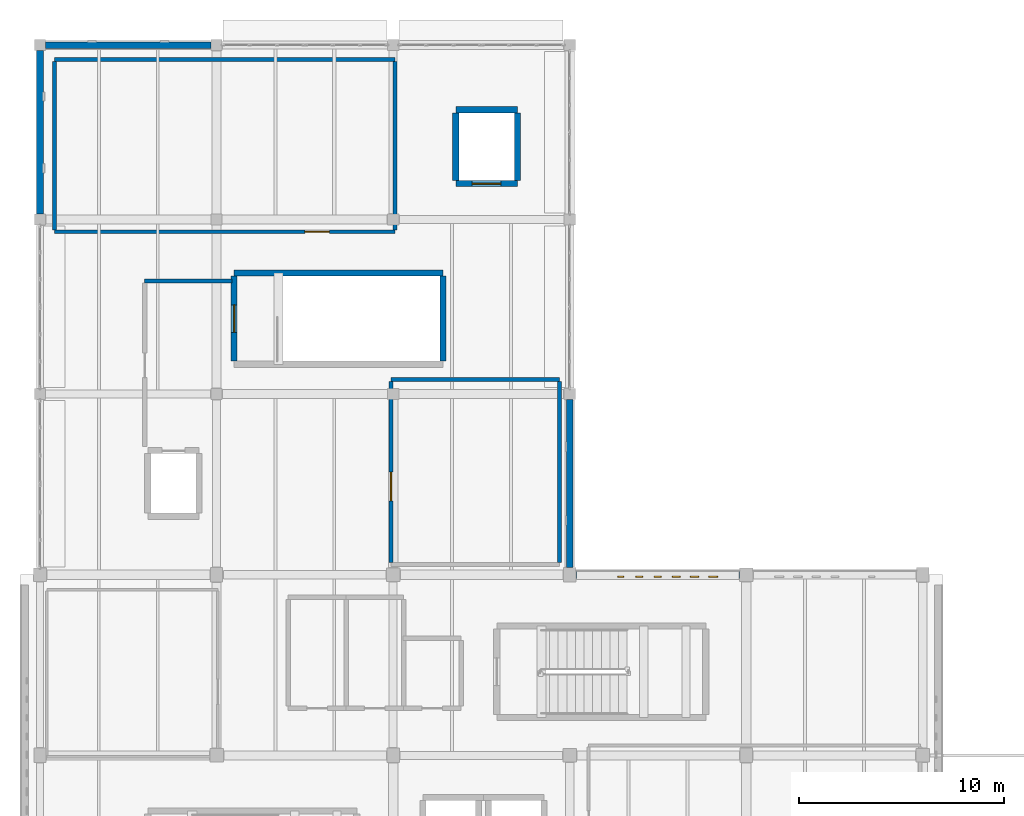
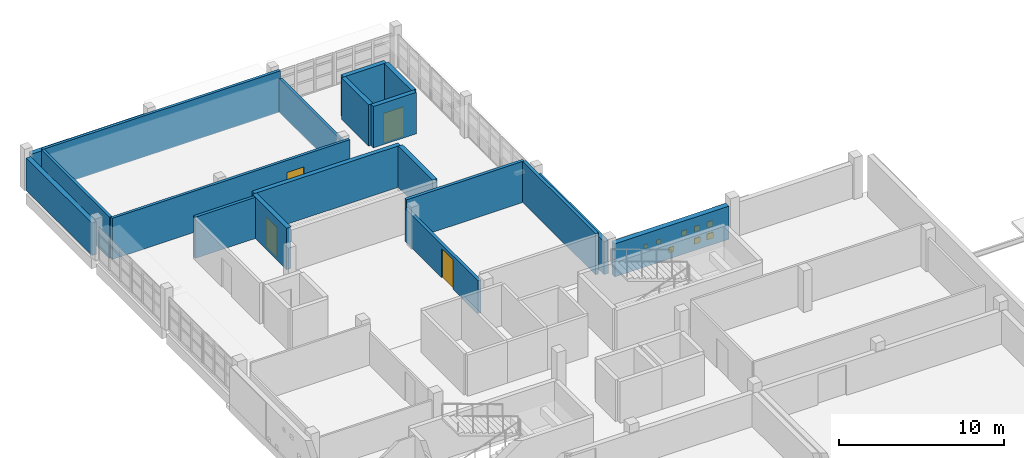
# One storey, part 27 of 34: 19 walls, 8 windows, 4 doors, 12 openings.
"""IFC4 building model written with IfcOpenShell, lengths in metres."""

from ifc_helpers import new_model, si_unit, direction, frame, frame_2d, origin, place, context, subcontext, project, spatial, rectangle, extrude, material, layer, layer_set, type_object, element, fill, save


model = new_model("IFC4")

# Units and contexts
model_context = context("Model", 3, precision=1e-05, world=origin(), true_north=direction((0.0, 1.0)))
body_context = subcontext(model_context, "Body", "Model", "MODEL_VIEW")
ifc_project = project(units=[si_unit("LENGTHUNIT", "METRE"), si_unit("AREAUNIT", "SQUARE_METRE"), si_unit("VOLUMEUNIT", "CUBIC_METRE"), si_unit("PLANEANGLEUNIT", "RADIAN"), si_unit("MASSUNIT", "GRAM", prefix="KILO")], contexts=[model_context])

# Site, building, storey
site_placement = place(None, origin())
site = spatial("IfcSite", under=ifc_project, at=site_placement, CompositionType="ELEMENT")
building_placement = place(site_placement, origin())
building = spatial("IfcBuilding", under=site, at=building_placement, Name="Varnakota Cinema and Media Centre", CompositionType="ELEMENT")
storey_placement = place(building_placement, frame((0.0, 0.0, 19.050048828125)))
storey = spatial("IfcBuildingStorey", under=building, at=storey_placement, Name="L05", CompositionType="ELEMENT", Elevation=19.050048828125)

# Wall
ifc_material_1 = material(Name="Autoclaved aerated concrete blockwork", Category="masonry")
ifc_layer_1 = layer(ifc_material_1, 0.2099609375)
ifc_layer_set_1 = layer_set([ifc_layer_1], Name="Autoclaved aerated concrete blockwork")
wall_type_1 = type_object("IfcWallType", Name="W-ACOUST-210", PredefinedType="PARTITIONING", material=ifc_layer_set_1)
wall_1_placement = place(storey_placement, frame((5.094970703125, 49.5048828125, 0.0), z_axis=(0.0, 0.0, 1.0), x_axis=(1.0, 0.0, 0.0)))
element("IfcWall", 1, at=wall_1_placement, inside=storey, type_object=wall_type_1, Name="L05 RWALL-RM-L05-FF-2 N wall", PredefinedType="PARTITIONING", context=body_context, shape_type="SweptSolid", body=[
    extrude(rectangle(XDim=4.260009765625, YDim=0.2099609375, at=frame_2d((2.1298828125, 0.0))), origin(), (0.0, 0.0, 1.0), 3.0400390625),
])

# Wall, opening, door
wall_2_placement = place(storey_placement, frame((17.094970703125, 35.800048828125, 0.0), z_axis=(0.0, 0.0, 1.0), x_axis=(0.0, 1.0, 0.0)))
wall_2 = element("IfcWall", 2, at=wall_2_placement, inside=storey, type_object=wall_type_1, Name="L05 RWALL-RM-L05-BENG W wall", PredefinedType="PARTITIONING", context=body_context, shape_type="SweptSolid", body=[
    extrude(rectangle(XDim=8.800048828125, YDim=0.2099609375, at=frame_2d((4.39990234375, 0.0))), origin(), (0.0, 0.0, 1.0), 2.43994140625),
])
opening_1_placement = place(wall_2_placement, frame((3.0, 0.0, 0.0)))
opening_1 = element("IfcOpeningElement", 3, at=opening_1_placement, cuts=wall_2, Name="Opening D-109", PredefinedType="OPENING", context=body_context, shape_type="SweptSolid", body=[
    extrude(rectangle(XDim=1.39990234375, YDim=2.14990234375, at=frame_2d((0.699951171875, 1.074951171875))), frame((0.0, 0.10498046875, 0.0), z_axis=(0.0, -1.0, 0.0), x_axis=(1.0, 0.0, 0.0)), (0.0, 0.0, 1.0), 0.2099609375),
])
ifc_material_2 = material(Name="Thermally broken anodised aluminium AW-6063", Category="aluminium")
door_type_1 = type_object("IfcDoorType", Name="DR-STD-1400x2150", OperationType="DOUBLE_DOOR_SINGLE_SWING", PredefinedType="DOOR", material=ifc_material_2)
door_1_placement = place(opening_1_placement, origin())
door_1 = element("IfcDoor", 4, at=door_1_placement, inside=storey, type_object=door_type_1, Name="L05 door D-109", OperationType="DOUBLE_DOOR_SINGLE_SWING", OverallHeight=2.14990234375, OverallWidth=1.39990234375, PredefinedType="DOOR", context=body_context, shape_type="SweptSolid", body=[
    extrude(rectangle(XDim=1.39990234375, YDim=2.14990234375, at=frame_2d((0.699951171875, 1.074951171875))), frame((0.0, 0.02490234375, 0.0), z_axis=(0.0, -1.0, 0.0), x_axis=(1.0, 0.0, 0.0)), (0.0, 0.0, 1.0), 0.050048828125),
])
fill(opening_1, door_1)

# Walls
wall_3_placement = place(storey_placement, frame((17.094970703125, 44.705078125, 0.0), z_axis=(0.0, 0.0, 1.0), x_axis=(1.0, 0.0, 0.0)))
element("IfcWall", 5, at=wall_3_placement, inside=storey, type_object=wall_type_1, Name="L05 RWALL-RM-L05-BENG N wall", PredefinedType="PARTITIONING", context=body_context, shape_type="SweptSolid", body=[
    extrude(rectangle(XDim=8.2099609375, YDim=0.2099609375, at=frame_2d((4.10498046875, 0.0))), origin(), (0.0, 0.0, 1.0), 3.0400390625),
])
wall_4_placement = place(storey_placement, frame((25.304931640625, 44.60009765625, 0.0), z_axis=(0.0, 0.0, 1.0), x_axis=(0.0, -1.0, 0.0)))
element("IfcWall", 6, at=wall_4_placement, inside=storey, type_object=wall_type_1, Name="L05 RWALL-RM-L05-BENG E wall", PredefinedType="PARTITIONING", context=body_context, shape_type="SweptSolid", body=[
    extrude(rectangle(XDim=8.800048828125, YDim=0.2099609375, at=frame_2d((4.39990234375, 0.0))), origin(), (0.0, 0.0, 1.0), 3.0400390625),
])

# Wall, opening, door
ifc_material_3 = material(Name="Concrete M40", Category="concrete")
ifc_layer_2 = layer(ifc_material_3, 0.300048828125)
ifc_layer_set_2 = layer_set([ifc_layer_2], Name="Concrete M40")
wall_type_2 = type_object("IfcWallType", Name="W-CORE-300", PredefinedType="SHEAR", material=ifc_layer_set_2)
wall_5_placement = place(storey_placement, frame((9.449951171875, 45.60009765625, 0.0), z_axis=(0.0, 0.0, 1.0), x_axis=(0.0, 1.0, 0.0)))
wall_5 = element("IfcWall", 7, at=wall_5_placement, inside=storey, type_object=wall_type_2, Name="L05 CWALL-ST-03-L05 W wall", PredefinedType="SHEAR", context=body_context, shape_type="SweptSolid", body=[
    extrude(rectangle(XDim=4.14990234375, YDim=0.300048828125, at=frame_2d((2.074951171875, 0.0))), origin(), (0.0, 0.0, 1.0), 3.06005859375),
])
opening_2_placement = place(wall_5_placement, frame((1.39990234375, 0.0, 0.0)))
opening_2 = element("IfcOpeningElement", 8, at=opening_2_placement, cuts=wall_5, Name="Opening SD-03", PredefinedType="OPENING", context=body_context, shape_type="SweptSolid", body=[
    extrude(rectangle(XDim=1.35009765625, YDim=2.199951171875, at=frame_2d((0.675048828125, 1.10009765625))), frame((0.0, 0.14990234375, 0.0), z_axis=(0.0, -1.0, 0.0), x_axis=(1.0, 0.0, 0.0)), (0.0, 0.0, 1.0), 0.300048828125),
])
ifc_material_4 = material(Name="Thermally broken anodised aluminium AW-6063", Category="aluminium")
door_type_2 = type_object("IfcDoorType", Name="DR-STAIR-1350x2200", OperationType="NOTDEFINED", PredefinedType="DOOR", material=ifc_material_4)
door_2_placement = place(opening_2_placement, origin())
door_2 = element("IfcDoor", 9, at=door_2_placement, inside=storey, type_object=door_type_2, Name="L05 door SD-03", OperationType="SINGLE_SWING_RIGHT", OverallHeight=2.199951171875, OverallWidth=1.35009765625, PredefinedType="DOOR", context=body_context, shape_type="SweptSolid", body=[
    extrude(rectangle(XDim=1.35009765625, YDim=2.199951171875, at=frame_2d((0.675048828125, 1.10009765625))), frame((0.0, 0.02490234375, 0.0), z_axis=(0.0, -1.0, 0.0), x_axis=(1.0, 0.0, 0.0)), (0.0, 0.0, 1.0), 0.050048828125),
])
fill(opening_2, door_2)

# Walls
wall_6_placement = place(storey_placement, frame((9.449951171875, 49.89990234375, 0.0), z_axis=(0.0, 0.0, 1.0), x_axis=(1.0, 0.0, 0.0)))
element("IfcWall", 10, at=wall_6_placement, inside=storey, type_object=wall_type_2, Name="L05 CWALL-ST-03-L05 N wall", PredefinedType="SHEAR", context=body_context, shape_type="SweptSolid", body=[
    extrude(rectangle(XDim=10.179931640625, YDim=0.300048828125, at=frame_2d((5.08984375, 0.0))), origin(), (0.0, 0.0, 1.0), 3.06005859375),
])
wall_7_placement = place(storey_placement, frame((19.6298828125, 49.75, 0.0), z_axis=(0.0, 0.0, 1.0), x_axis=(0.0, -1.0, 0.0)))
element("IfcWall", 11, at=wall_7_placement, inside=storey, type_object=wall_type_2, Name="L05 CWALL-ST-03-L05 E wall", PredefinedType="SHEAR", context=body_context, shape_type="SweptSolid", body=[
    extrude(rectangle(XDim=4.14990234375, YDim=0.300048828125, at=frame_2d((2.074951171875, 0.0))), origin(), (0.0, 0.0, 1.0), 3.06005859375),
])

# Wall, opening, door
wall_8_placement = place(storey_placement, frame((23.25, 54.25, 0.0), z_axis=(0.0, 0.0, 1.0), x_axis=(-1.0, 0.0, 0.0)))
wall_8 = element("IfcWall", 12, at=wall_8_placement, inside=storey, type_object=wall_type_2, Name="L05 LSHAFT-LF-07-L05 S wall", PredefinedType="SHEAR", context=body_context, shape_type="SweptSolid", body=[
    extrude(rectangle(XDim=3.0, YDim=0.300048828125, at=frame_2d((1.5, 0.0))), origin(), (0.0, 0.0, 1.0), 3.06005859375),
])
opening_3_placement = place(wall_8_placement, frame((0.800048828125, 0.0, 0.0)))
opening_3 = element("IfcOpeningElement", 13, at=opening_3_placement, cuts=wall_8, Name="Opening LD-07", PredefinedType="OPENING", context=body_context, shape_type="SweptSolid", body=[
    extrude(rectangle(XDim=1.39990234375, YDim=2.199951171875, at=frame_2d((0.699951171875, 1.10009765625))), frame((0.0, 0.14990234375, 0.0), z_axis=(0.0, -1.0, 0.0), x_axis=(1.0, 0.0, 0.0)), (0.0, 0.0, 1.0), 0.300048828125),
])
ifc_material_5 = material(Name="Thermally broken anodised aluminium AW-6063", Category="aluminium")
door_type_3 = type_object("IfcDoorType", Name="DR-LIFT-1400x2200", OperationType="DOUBLE_DOOR_SLIDING", PredefinedType="DOOR", material=ifc_material_5)
door_3_placement = place(opening_3_placement, origin())
door_3 = element("IfcDoor", 14, at=door_3_placement, inside=storey, type_object=door_type_3, Name="L05 door LD-07", OperationType="DOUBLE_DOOR_SLIDING", OverallHeight=2.199951171875, OverallWidth=1.39990234375, PredefinedType="DOOR", context=body_context, shape_type="SweptSolid", body=[
    extrude(rectangle(XDim=1.39990234375, YDim=2.199951171875, at=frame_2d((0.699951171875, 1.10009765625))), frame((0.0, 0.02490234375, 0.0), z_axis=(0.0, -1.0, 0.0), x_axis=(1.0, 0.0, 0.0)), (0.0, 0.0, 1.0), 0.050048828125),
])
fill(opening_3, door_3)

# Walls
wall_9_placement = place(storey_placement, frame((20.25, 54.39990234375, 0.0), z_axis=(0.0, 0.0, 1.0), x_axis=(0.0, 1.0, 0.0)))
element("IfcWall", 15, at=wall_9_placement, inside=storey, type_object=wall_type_2, Name="L05 LSHAFT-LF-07-L05 W wall", PredefinedType="SHEAR", context=body_context, shape_type="SweptSolid", body=[
    extrude(rectangle(XDim=3.300048828125, YDim=0.300048828125, at=frame_2d((1.64990234375, 0.0))), origin(), (0.0, 0.0, 1.0), 3.06005859375),
])
wall_10_placement = place(storey_placement, frame((20.25, 57.85009765625, 0.0), z_axis=(0.0, 0.0, 1.0), x_axis=(1.0, 0.0, 0.0)))
element("IfcWall", 16, at=wall_10_placement, inside=storey, type_object=wall_type_2, Name="L05 LSHAFT-LF-07-L05 N wall", PredefinedType="SHEAR", context=body_context, shape_type="SweptSolid", body=[
    extrude(rectangle(XDim=3.0, YDim=0.300048828125, at=frame_2d((1.5, 0.0))), origin(), (0.0, 0.0, 1.0), 3.06005859375),
])
wall_11_placement = place(storey_placement, frame((23.25, 57.699951171875, 0.0), z_axis=(0.0, 0.0, 1.0), x_axis=(0.0, -1.0, 0.0)))
element("IfcWall", 17, at=wall_11_placement, inside=storey, type_object=wall_type_2, Name="L05 LSHAFT-LF-07-L05 E wall", PredefinedType="SHEAR", context=body_context, shape_type="SweptSolid", body=[
    extrude(rectangle(XDim=3.300048828125, YDim=0.300048828125, at=frame_2d((1.64990234375, 0.0))), origin(), (0.0, 0.0, 1.0), 3.06005859375),
])
ifc_material_6 = material(Name="Deccan grey granite ashlar", Category="masonry")
ifc_layer_3 = layer(ifc_material_6, 0.320068359375)
ifc_layer_set_3 = layer_set([ifc_layer_3], Name="Deccan grey granite ashlar")
wall_type_3 = type_object("IfcWallType", Name="W-EXT-GRAN-320", PredefinedType="SOLIDWALL", material=ifc_layer_set_3)
wall_12_placement = place(storey_placement, frame((25.800048828125, 35.550048828125, 0.0), z_axis=(0.0, 0.0, 1.0), x_axis=(0.0, 1.0, 0.0)))
element("IfcWall", 18, at=wall_12_placement, inside=storey, type_object=wall_type_3, Name="L05 exterior wall V5-E-1", PredefinedType="SOLIDWALL", context=body_context, shape_type="SweptSolid", body=[
    extrude(rectangle(XDim=8.175048828125, YDim=0.320068359375, at=frame_2d((4.08740234375, 0.0))), origin(), (0.0, 0.0, 1.0), 2.445068359375),
])
wall_13_placement = place(storey_placement, frame((0.27490234375, 61.0, 0.0), z_axis=(0.0, 0.0, 1.0), x_axis=(1.0, 0.0, 0.0)))
element("IfcWall", 19, at=wall_13_placement, inside=storey, type_object=wall_type_3, Name="L05 exterior wall V5-N-1", PredefinedType="SOLIDWALL", context=body_context, shape_type="SweptSolid", body=[
    extrude(rectangle(XDim=8.050048828125, YDim=0.320068359375, at=frame_2d((4.02490234375, 0.0))), origin(), (0.0, 0.0, 1.0), 2.445068359375),
])
wall_14_placement = place(storey_placement, frame((0.0, 60.72509765625, 0.0), z_axis=(0.0, 0.0, 1.0), x_axis=(0.0, -1.0, 0.0)))
element("IfcWall", 20, at=wall_14_placement, inside=storey, type_object=wall_type_3, Name="L05 exterior wall V5-W-1", PredefinedType="SOLIDWALL", context=body_context, shape_type="SweptSolid", body=[
    extrude(rectangle(XDim=7.9501953125, YDim=0.320068359375, at=frame_2d((3.97509765625, 0.0))), origin(), (0.0, 0.0, 1.0), 2.39501953125),
])

# Wall, openings, windows
ifc_material_7 = material(Name="Pale Tandur limestone cladding", Category="masonry")
ifc_layer_4 = layer(ifc_material_7, 0.360107421875)
ifc_layer_set_4 = layer_set([ifc_layer_4], Name="Pale Tandur limestone cladding")
wall_type_4 = type_object("IfcWallType", Name="W-EXT-TANDUR-360", PredefinedType="SOLIDWALL", material=ifc_layer_set_4)
wall_15_placement = place(storey_placement, frame((26.10009765625, 35.199951171875, 0.0), z_axis=(0.0, 0.0, 1.0), x_axis=(1.0, 0.0, 0.0)))
wall_15 = element("IfcWall", 21, at=wall_15_placement, inside=storey, type_object=wall_type_4, Name="L05 V4 pale Tandur stone monolith wall V4-N-01", PredefinedType="SOLIDWALL", context=body_context, shape_type="SweptSolid", body=[
    extrude(rectangle(XDim=7.974853515625, YDim=0.360107421875, at=frame_2d((3.9873046875, 0.0))), origin(), (0.0, 0.0, 1.0), 2.445068359375),
])
opening_4_placement = place(wall_15_placement, frame((2.047607421875, 0.0, 1.320068359375)))
opening_4 = element("IfcOpeningElement", 22, at=opening_4_placement, cuts=wall_15, Name="Opening WP15", PredefinedType="OPENING", context=body_context, shape_type="SweptSolid", body=[
    extrude(rectangle(XDim=0.280029296875, YDim=0.280029296875, at=frame_2d((0.14013671875, 0.14013671875))), frame((0.0, 0.18017578125, 0.0), z_axis=(0.0, -1.0, 0.0), x_axis=(1.0, 0.0, 0.0)), (0.0, 0.0, 1.0), 0.360107421875),
])
opening_5_placement = place(wall_15_placement, frame((2.927490234375, 0.0, 1.320068359375)))
opening_5 = element("IfcOpeningElement", 23, at=opening_5_placement, cuts=wall_15, Name="Opening WP13", PredefinedType="OPENING", context=body_context, shape_type="SweptSolid", body=[
    extrude(rectangle(XDim=0.320068359375, YDim=0.320068359375, at=frame_2d((0.16015625, 0.16015625))), frame((0.0, 0.18017578125, 0.0), z_axis=(0.0, -1.0, 0.0), x_axis=(1.0, 0.0, 0.0)), (0.0, 0.0, 1.0), 0.360107421875),
])
opening_6_placement = place(wall_15_placement, frame((3.8076171875, 0.0, 0.419921875)))
opening_6 = element("IfcOpeningElement", 24, at=opening_6_placement, cuts=wall_15, Name="Opening WP11", PredefinedType="OPENING", context=body_context, shape_type="SweptSolid", body=[
    extrude(rectangle(XDim=0.360107421875, YDim=0.360107421875, at=frame_2d((0.18017578125, 0.18017578125))), frame((0.0, 0.18017578125, 0.0), z_axis=(0.0, -1.0, 0.0), x_axis=(1.0, 0.0, 0.0)), (0.0, 0.0, 1.0), 0.360107421875),
])
opening_7_placement = place(wall_15_placement, frame((4.697509765625, 0.0, 1.320068359375)))
opening_7 = element("IfcOpeningElement", 25, at=opening_7_placement, cuts=wall_15, Name="Opening WP10", PredefinedType="OPENING", context=body_context, shape_type="SweptSolid", body=[
    extrude(rectangle(XDim=0.3798828125, YDim=0.3798828125, at=frame_2d((0.18994140625, 0.18994140625))), frame((0.0, 0.18017578125, 0.0), z_axis=(0.0, -1.0, 0.0), x_axis=(1.0, 0.0, 0.0)), (0.0, 0.0, 1.0), 0.360107421875),
])
opening_8_placement = place(wall_15_placement, frame((5.577392578125, 0.0, 0.419921875)))
opening_8 = element("IfcOpeningElement", 26, at=opening_8_placement, cuts=wall_15, Name="Opening WP08", PredefinedType="OPENING", context=body_context, shape_type="SweptSolid", body=[
    extrude(rectangle(XDim=0.419921875, YDim=0.419921875, at=frame_2d((0.2099609375, 0.2099609375))), frame((0.0, 0.18017578125, 0.0), z_axis=(0.0, -1.0, 0.0), x_axis=(1.0, 0.0, 0.0)), (0.0, 0.0, 1.0), 0.360107421875),
])
opening_9_placement = place(wall_15_placement, frame((5.58740234375, 0.0, 1.320068359375)))
opening_9 = element("IfcOpeningElement", 27, at=opening_9_placement, cuts=wall_15, Name="Opening WP09", PredefinedType="OPENING", context=body_context, shape_type="SweptSolid", body=[
    extrude(rectangle(XDim=0.39990234375, YDim=0.39990234375, at=frame_2d((0.199951171875, 0.199951171875))), frame((0.0, 0.18017578125, 0.0), z_axis=(0.0, -1.0, 0.0), x_axis=(1.0, 0.0, 0.0)), (0.0, 0.0, 1.0), 0.360107421875),
])
opening_10_placement = place(wall_15_placement, frame((6.467529296875, 0.0, 0.419921875)))
opening_10 = element("IfcOpeningElement", 28, at=opening_10_placement, cuts=wall_15, Name="Opening WP07", PredefinedType="OPENING", context=body_context, shape_type="SweptSolid", body=[
    extrude(rectangle(XDim=0.43994140625, YDim=0.43994140625, at=frame_2d((0.219970703125, 0.219970703125))), frame((0.0, 0.18017578125, 0.0), z_axis=(0.0, -1.0, 0.0), x_axis=(1.0, 0.0, 0.0)), (0.0, 0.0, 1.0), 0.360107421875),
])
opening_11_placement = place(wall_15_placement, frame((6.4775390625, 0.0, 1.320068359375)))
opening_11 = element("IfcOpeningElement", 29, at=opening_11_placement, cuts=wall_15, Name="Opening WP08", PredefinedType="OPENING", context=body_context, shape_type="SweptSolid", body=[
    extrude(rectangle(XDim=0.419921875, YDim=0.419921875, at=frame_2d((0.2099609375, 0.2099609375))), frame((0.0, 0.18017578125, 0.0), z_axis=(0.0, -1.0, 0.0), x_axis=(1.0, 0.0, 0.0)), (0.0, 0.0, 1.0), 0.360107421875),
])
ifc_material_8 = material(Name="Laminated solar-control double glazing", Category="glass")
window_type_1 = type_object("IfcWindowType", Name="WIN-PIERCE-07", PartitioningType="SINGLE_PANEL", PredefinedType="WINDOW", material=ifc_material_8)
window_1_placement = place(opening_10_placement, origin())
window_1 = element("IfcWindow", 30, at=window_1_placement, inside=storey, type_object=window_type_1, Name="L05 window WP07", OverallHeight=0.43994140625, OverallWidth=0.43994140625, PartitioningType="SINGLE_PANEL", PredefinedType="WINDOW", context=body_context, shape_type="SweptSolid", body=[
    extrude(rectangle(XDim=0.43994140625, YDim=0.43994140625, at=frame_2d((0.219970703125, 0.219970703125))), frame((0.0, -0.070068359375, 0.0), z_axis=(0.0, -1.0, 0.0), x_axis=(1.0, 0.0, 0.0)), (0.0, 0.0, 1.0), 0.06005859375),
])
fill(opening_10, window_1)
ifc_material_9 = material(Name="Laminated solar-control double glazing", Category="glass")
window_type_2 = type_object("IfcWindowType", Name="WIN-PIERCE-08", PartitioningType="SINGLE_PANEL", PredefinedType="WINDOW", material=ifc_material_9)
window_2_placement = place(opening_8_placement, origin())
window_2 = element("IfcWindow", 31, at=window_2_placement, inside=storey, type_object=window_type_2, Name="L05 window WP08", OverallHeight=0.419921875, OverallWidth=0.419921875, PartitioningType="SINGLE_PANEL", PredefinedType="WINDOW", context=body_context, shape_type="SweptSolid", body=[
    extrude(rectangle(XDim=0.419921875, YDim=0.419921875, at=frame_2d((0.2099609375, 0.2099609375))), frame((0.0, -0.070068359375, 0.0), z_axis=(0.0, -1.0, 0.0), x_axis=(1.0, 0.0, 0.0)), (0.0, 0.0, 1.0), 0.06005859375),
])
fill(opening_8, window_2)
window_3_placement = place(opening_11_placement, origin())
window_3 = element("IfcWindow", 32, at=window_3_placement, inside=storey, type_object=window_type_2, Name="L05 window WP08", OverallHeight=0.419921875, OverallWidth=0.419921875, PartitioningType="SINGLE_PANEL", PredefinedType="WINDOW", context=body_context, shape_type="SweptSolid", body=[
    extrude(rectangle(XDim=0.419921875, YDim=0.419921875, at=frame_2d((0.2099609375, 0.2099609375))), frame((0.0, -0.070068359375, 0.0), z_axis=(0.0, -1.0, 0.0), x_axis=(1.0, 0.0, 0.0)), (0.0, 0.0, 1.0), 0.06005859375),
])
fill(opening_11, window_3)
ifc_material_10 = material(Name="Laminated solar-control double glazing", Category="glass")
window_type_3 = type_object("IfcWindowType", Name="WIN-PIERCE-09", PartitioningType="SINGLE_PANEL", PredefinedType="WINDOW", material=ifc_material_10)
window_4_placement = place(opening_9_placement, origin())
window_4 = element("IfcWindow", 33, at=window_4_placement, inside=storey, type_object=window_type_3, Name="L05 window WP09", OverallHeight=0.39990234375, OverallWidth=0.39990234375, PartitioningType="SINGLE_PANEL", PredefinedType="WINDOW", context=body_context, shape_type="SweptSolid", body=[
    extrude(rectangle(XDim=0.39990234375, YDim=0.39990234375, at=frame_2d((0.199951171875, 0.199951171875))), frame((0.0, -0.070068359375, 0.0), z_axis=(0.0, -1.0, 0.0), x_axis=(1.0, 0.0, 0.0)), (0.0, 0.0, 1.0), 0.06005859375),
])
fill(opening_9, window_4)
ifc_material_11 = material(Name="Laminated solar-control double glazing", Category="glass")
window_type_4 = type_object("IfcWindowType", Name="WIN-PIERCE-10", PartitioningType="SINGLE_PANEL", PredefinedType="WINDOW", material=ifc_material_11)
window_5_placement = place(opening_7_placement, origin())
window_5 = element("IfcWindow", 34, at=window_5_placement, inside=storey, type_object=window_type_4, Name="L05 window WP10", OverallHeight=0.3798828125, OverallWidth=0.3798828125, PartitioningType="SINGLE_PANEL", PredefinedType="WINDOW", context=body_context, shape_type="SweptSolid", body=[
    extrude(rectangle(XDim=0.3798828125, YDim=0.3798828125, at=frame_2d((0.18994140625, 0.18994140625))), frame((0.0, -0.070068359375, 0.0), z_axis=(0.0, -1.0, 0.0), x_axis=(1.0, 0.0, 0.0)), (0.0, 0.0, 1.0), 0.06005859375),
])
fill(opening_7, window_5)
ifc_material_12 = material(Name="Laminated solar-control double glazing", Category="glass")
window_type_5 = type_object("IfcWindowType", Name="WIN-PIERCE-11", PartitioningType="SINGLE_PANEL", PredefinedType="WINDOW", material=ifc_material_12)
window_6_placement = place(opening_6_placement, origin())
window_6 = element("IfcWindow", 35, at=window_6_placement, inside=storey, type_object=window_type_5, Name="L05 window WP11", OverallHeight=0.360107421875, OverallWidth=0.360107421875, PartitioningType="SINGLE_PANEL", PredefinedType="WINDOW", context=body_context, shape_type="SweptSolid", body=[
    extrude(rectangle(XDim=0.360107421875, YDim=0.360107421875, at=frame_2d((0.18017578125, 0.18017578125))), frame((0.0, -0.070068359375, 0.0), z_axis=(0.0, -1.0, 0.0), x_axis=(1.0, 0.0, 0.0)), (0.0, 0.0, 1.0), 0.06005859375),
])
fill(opening_6, window_6)
ifc_material_13 = material(Name="Laminated solar-control double glazing", Category="glass")
window_type_6 = type_object("IfcWindowType", Name="WIN-PIERCE-13", PartitioningType="SINGLE_PANEL", PredefinedType="WINDOW", material=ifc_material_13)
window_7_placement = place(opening_5_placement, origin())
window_7 = element("IfcWindow", 36, at=window_7_placement, inside=storey, type_object=window_type_6, Name="L05 window WP13", OverallHeight=0.320068359375, OverallWidth=0.320068359375, PartitioningType="SINGLE_PANEL", PredefinedType="WINDOW", context=body_context, shape_type="SweptSolid", body=[
    extrude(rectangle(XDim=0.320068359375, YDim=0.320068359375, at=frame_2d((0.16015625, 0.16015625))), frame((0.0, -0.070068359375, 0.0), z_axis=(0.0, -1.0, 0.0), x_axis=(1.0, 0.0, 0.0)), (0.0, 0.0, 1.0), 0.06005859375),
])
fill(opening_5, window_7)
ifc_material_14 = material(Name="Laminated solar-control double glazing", Category="glass")
window_type_7 = type_object("IfcWindowType", Name="WIN-PIERCE-15", PartitioningType="SINGLE_PANEL", PredefinedType="WINDOW", material=ifc_material_14)
window_8_placement = place(opening_4_placement, origin())
window_8 = element("IfcWindow", 37, at=window_8_placement, inside=storey, type_object=window_type_7, Name="L05 window WP15", OverallHeight=0.280029296875, OverallWidth=0.280029296875, PartitioningType="SINGLE_PANEL", PredefinedType="WINDOW", context=body_context, shape_type="SweptSolid", body=[
    extrude(rectangle(XDim=0.280029296875, YDim=0.280029296875, at=frame_2d((0.14013671875, 0.14013671875))), frame((0.0, -0.070068359375, 0.0), z_axis=(0.0, -1.0, 0.0), x_axis=(1.0, 0.0, 0.0)), (0.0, 0.0, 1.0), 0.06005859375),
])
fill(opening_4, window_8)

# Wall, opening, door
ifc_material_15 = material(Name="Autoclaved aerated concrete blockwork", Category="masonry")
ifc_layer_5 = layer(ifc_material_15, 0.18994140625)
ifc_layer_set_5 = layer_set([ifc_layer_5], Name="Autoclaved aerated concrete blockwork")
wall_type_5 = type_object("IfcWallType", Name="W-PART-190", PredefinedType="PARTITIONING", material=ifc_layer_set_5)
wall_16_placement = place(storey_placement, frame((17.294921875, 51.905029296875, 0.0), z_axis=(0.0, 0.0, 1.0), x_axis=(-1.0, 0.0, 0.0)))
wall_16 = element("IfcWall", 38, at=wall_16_placement, inside=storey, type_object=wall_type_5, Name="L05 RWALL-RM-L05-EDIT5A S wall", PredefinedType="PARTITIONING", context=body_context, shape_type="SweptSolid", body=[
    extrude(rectangle(XDim=16.58984375, YDim=0.18994140625, at=frame_2d((8.294921875, 0.0))), origin(), (0.0, 0.0, 1.0), 3.0400390625),
])
opening_12_placement = place(wall_16_placement, frame((3.195068359375, 0.0, 0.0)))
opening_12 = element("IfcOpeningElement", 39, at=opening_12_placement, cuts=wall_16, Name="Opening D-110", PredefinedType="OPENING", context=body_context, shape_type="SweptSolid", body=[
    extrude(rectangle(XDim=1.199951171875, YDim=2.14990234375, at=frame_2d((0.60009765625, 1.074951171875))), frame((0.0, 0.094970703125, 0.0), z_axis=(0.0, -1.0, 0.0), x_axis=(1.0, 0.0, 0.0)), (0.0, 0.0, 1.0), 0.18994140625),
])
ifc_material_16 = material(Name="Thermally broken anodised aluminium AW-6063", Category="aluminium")
door_type_4 = type_object("IfcDoorType", Name="DR-STD-1200x2150", OperationType="NOTDEFINED", PredefinedType="DOOR", material=ifc_material_16)
door_4_placement = place(opening_12_placement, origin())
door_4 = element("IfcDoor", 40, at=door_4_placement, inside=storey, type_object=door_type_4, Name="L05 door D-110", OperationType="SINGLE_SWING_RIGHT", OverallHeight=2.14990234375, OverallWidth=1.199951171875, PredefinedType="DOOR", context=body_context, shape_type="SweptSolid", body=[
    extrude(rectangle(XDim=1.199951171875, YDim=2.14990234375, at=frame_2d((0.60009765625, 1.074951171875))), frame((0.0, 0.02490234375, 0.0), z_axis=(0.0, -1.0, 0.0), x_axis=(1.0, 0.0, 0.0)), (0.0, 0.0, 1.0), 0.050048828125),
])
fill(opening_12, door_4)

# Walls
wall_17_placement = place(storey_placement, frame((0.705078125, 52.0, 0.0), z_axis=(0.0, 0.0, 1.0), x_axis=(0.0, 1.0, 0.0)))
element("IfcWall", 41, at=wall_17_placement, inside=storey, type_object=wall_type_5, Name="L05 RWALL-RM-L05-EDIT5A W wall", PredefinedType="PARTITIONING", context=body_context, shape_type="SweptSolid", body=[
    extrude(rectangle(XDim=8.199951171875, YDim=0.18994140625, at=frame_2d((4.10009765625, 0.0))), origin(), (0.0, 0.0, 1.0), 3.0400390625),
])
wall_18_placement = place(storey_placement, frame((0.705078125, 60.294921875, 0.0), z_axis=(0.0, 0.0, 1.0), x_axis=(1.0, 0.0, 0.0)))
element("IfcWall", 42, at=wall_18_placement, inside=storey, type_object=wall_type_5, Name="L05 RWALL-RM-L05-EDIT5A N wall", PredefinedType="PARTITIONING", context=body_context, shape_type="SweptSolid", body=[
    extrude(rectangle(XDim=16.58984375, YDim=0.18994140625, at=frame_2d((8.294921875, 0.0))), origin(), (0.0, 0.0, 1.0), 3.0400390625),
])
wall_19_placement = place(storey_placement, frame((17.294921875, 60.199951171875, 0.0), z_axis=(0.0, 0.0, 1.0), x_axis=(0.0, -1.0, 0.0)))
element("IfcWall", 43, at=wall_19_placement, inside=storey, type_object=wall_type_5, Name="L05 RWALL-RM-L05-EDIT5A E wall", PredefinedType="PARTITIONING", context=body_context, shape_type="SweptSolid", body=[
    extrude(rectangle(XDim=8.199951171875, YDim=0.18994140625, at=frame_2d((4.10009765625, 0.0))), origin(), (0.0, 0.0, 1.0), 2.489990234375),
])

save(model, "model.ifc")
